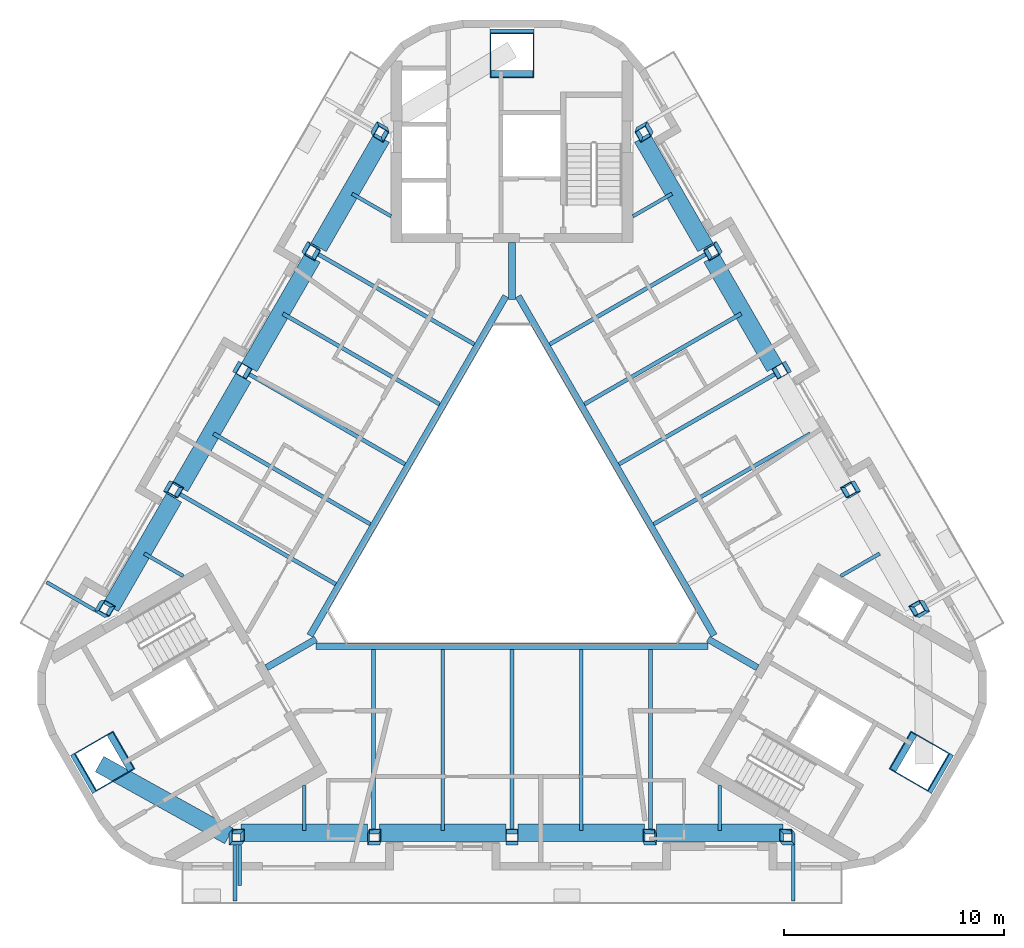
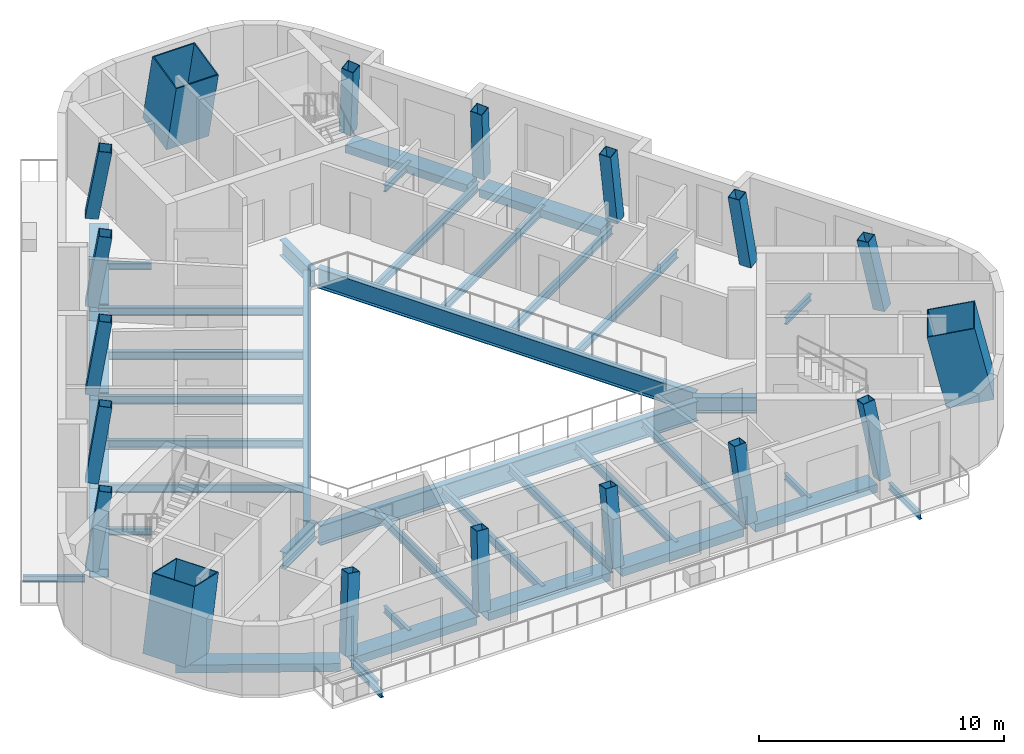
# One storey, part 1 of 11: 41 beams, 18 columns.
"""IFC4 building model written with IfcOpenShell, lengths in metres."""

from ifc_helpers import new_model, si_unit, direction, frame, origin, origin_2d, place, context, subcontext, project, spatial, rectangle, hollow_rectangle, i_section, extrude, boolean, halfspace, material, material_profile, profile_set, type_object, element, save


model = new_model("IFC4")

# Units and contexts
model_context = context("Model", 3, precision=1e-05, world=origin(), true_north=direction((0.0, 1.0)))
body_context = subcontext(model_context, "Body", "Model", "MODEL_VIEW")
ifc_project = project(units=[si_unit("LENGTHUNIT", "METRE"), si_unit("AREAUNIT", "SQUARE_METRE"), si_unit("VOLUMEUNIT", "CUBIC_METRE"), si_unit("PLANEANGLEUNIT", "RADIAN"), si_unit("MASSUNIT", "GRAM", prefix="KILO")], contexts=[model_context])

# Site, building, storey
site_placement = place(None, origin())
site = spatial("IfcSite", under=ifc_project, at=site_placement, CompositionType="ELEMENT")
building_placement = place(site_placement, origin())
building = spatial("IfcBuilding", under=site, at=building_placement, Name="Apuvela Tower Hotel", CompositionType="ELEMENT")
storey_placement = place(building_placement, frame((0.0, 0.0, 328.10009765625)))
storey = spatial("IfcBuildingStorey", under=building, at=storey_placement, Name="L82", CompositionType="ELEMENT", Elevation=328.10009765625)

# Columns
ifc_material_1 = material(Name="Steel S460", Category="steel")
ifc_material_profile_1 = material_profile(ifc_material_1, hollow_rectangle(XDim=2.0, YDim=2.0, WallThickness=0.050048828125, at=origin_2d()), Name="BOX 2000x2000x50")
ifc_material_2 = material(Name="Concrete C80/95", Category="concrete")
ifc_material_profile_2 = material_profile(ifc_material_2, rectangle(XDim=1.89990234375, YDim=1.89990234375, at=origin_2d()), Name="Concrete C80/95 infill")
ifc_profile_set_1 = profile_set([ifc_material_profile_1, ifc_material_profile_2], Name="Steel S460")
column_type_1 = type_object("IfcColumnType", Name="STR-MC mega column BOX 2000x2000x50", PredefinedType="COLUMN", material=ifc_profile_set_1)
for number, where, z_axis, x_axis, name in (
    (1, (0.0, 21.673828125, 0.0), (0.0, -0.21982618752, 0.975539054718), (1.0, 0.0, 0.0), "Mega column MC4 N"),
    (2, (-18.77001953125, -10.8369140625, 0.0), (0.190346159062, 0.109881938965, 0.975548204457), (-0.499994868029, 0.866028366632, 1.1507946e-05), "Mega column MC4 SW"),
    (3, (18.77001953125, -10.8369140625, 0.0), (-0.190346159062, 0.109881938965, 0.975548204457), (0.499994868029, 0.866028366632, 1.1507946e-05), "Mega column MC4 SE"),
):
    element("IfcColumn", number, at=place(storey_placement, frame(where, z_axis=z_axis, x_axis=x_axis)), inside=storey, type_object=column_type_1, Name=name, PredefinedType="COLUMN", context=body_context, shape_type="SweptSolid", body=[
        boolean("DIFFERENCE", boolean("DIFFERENCE", extrude(hollow_rectangle(XDim=2.0, YDim=2.0, WallThickness=0.050048828125, at=origin_2d()), origin(), (0.0, 0.0, 1.0), 3.792724609375), halfspace(frame((0.0, 0.0, 0.11328125), z_axis=(0.0, 0.0, 1.0), x_axis=(1.0, 0.0, 0.0)), True)), halfspace(frame((0.0, 0.0, 3.74365234375), z_axis=(0.0, 0.0, 1.0), x_axis=(1.0, 0.0, 0.0)), False)),
    ])
ifc_material_profile_3 = material_profile(ifc_material_1, hollow_rectangle(XDim=0.550048828125, YDim=0.550048828125, WallThickness=0.02490234375, at=origin_2d()), Name="BOX 550x550x25")
ifc_material_profile_4 = material_profile(ifc_material_2, rectangle(XDim=0.5, YDim=0.5, at=origin_2d()), Name="Concrete C80/95 infill")
ifc_profile_set_2 = profile_set([ifc_material_profile_3, ifc_material_profile_4], Name="Steel S460")
column_type_2 = type_object("IfcColumnType", Name="STR-PC perimeter column BOX 550x550x25", PredefinedType="COLUMN", material=ifc_profile_set_2)
column_1_placement = place(storey_placement, frame((-12.60498046875, -14.260498046875, 0.0), z_axis=(0.121069901949, 0.150398600122, 0.981184151892), x_axis=(-0.992601568988, 0.00920533993, 0.121067695767)))
element("IfcColumn", 4, at=column_1_placement, inside=storey, type_object=column_type_2, Name="Perimeter column C7 S1", PredefinedType="COLUMN", context=body_context, shape_type="SweptSolid", body=[
    boolean("DIFFERENCE", boolean("DIFFERENCE", extrude(hollow_rectangle(XDim=0.550048828125, YDim=0.550048828125, WallThickness=0.02490234375, at=origin_2d()), origin(), (0.0, 0.0, 1.0), 3.77099609375), halfspace(frame((0.0, 0.0, 0.039794921875), z_axis=(0.0, 0.0, 1.0), x_axis=(1.0, 0.0, 0.0)), True)), halfspace(frame((0.0, 0.0, 3.752685546875), z_axis=(0.0, 0.0, 1.0), x_axis=(1.0, 0.0, 0.0)), False)),
])
column_2_placement = place(storey_placement, frame((-6.302490234375, -14.260498046875, 0.0), z_axis=(0.060870463553, 0.151232178432, 0.986622326361), x_axis=(-0.99813528898, 0.004713590867, 0.06085825296)))
element("IfcColumn", 5, at=column_2_placement, inside=storey, type_object=column_type_2, Name="Perimeter column C7 S2", PredefinedType="COLUMN", context=body_context, shape_type="SweptSolid", body=[
    boolean("DIFFERENCE", boolean("DIFFERENCE", extrude(hollow_rectangle(XDim=0.550048828125, YDim=0.550048828125, WallThickness=0.02490234375, at=origin_2d()), origin(), (0.0, 0.0, 1.0), 3.75), halfspace(frame((0.0, 0.0, 0.033935546875), z_axis=(0.0, 0.0, 1.0), x_axis=(1.0, 0.0, 0.0)), True)), halfspace(frame((0.0, 0.0, 3.734619140625), z_axis=(0.0, 0.0, 1.0), x_axis=(1.0, 0.0, 0.0)), False)),
])
column_3_placement = place(storey_placement, frame((0.0, -14.260498046875, 0.0), z_axis=(0.0, 0.151513133163, 0.98845524455), x_axis=(-1.0, 0.0, 0.0)))
element("IfcColumn", 6, at=column_3_placement, inside=storey, type_object=column_type_2, Name="Perimeter column C7 S3", PredefinedType="COLUMN", context=body_context, shape_type="SweptSolid", body=[
    boolean("DIFFERENCE", boolean("DIFFERENCE", extrude(hollow_rectangle(XDim=0.550048828125, YDim=0.550048828125, WallThickness=0.02490234375, at=origin_2d()), origin(), (0.0, 0.0, 1.0), 3.7431640625), halfspace(frame((0.0, 0.0, 0.031494140625), z_axis=(0.0, 0.0, 1.0), x_axis=(1.0, 0.0, 0.0)), True)), halfspace(frame((0.0, 0.0, 3.728515625), z_axis=(0.0, 0.0, 1.0), x_axis=(1.0, 0.0, 0.0)), False)),
])
column_4_placement = place(storey_placement, frame((6.302490234375, -14.260498046875, 0.0), z_axis=(-0.060870463553, 0.151232178432, 0.986622326361), x_axis=(0.99813528898, 0.004713590867, 0.06085825296)))
element("IfcColumn", 7, at=column_4_placement, inside=storey, type_object=column_type_2, Name="Perimeter column C7 S4", PredefinedType="COLUMN", context=body_context, shape_type="SweptSolid", body=[
    boolean("DIFFERENCE", boolean("DIFFERENCE", extrude(hollow_rectangle(XDim=0.550048828125, YDim=0.550048828125, WallThickness=0.02490234375, at=origin_2d()), origin(), (0.0, 0.0, 1.0), 3.75), halfspace(frame((0.0, 0.0, 0.033935546875), z_axis=(0.0, 0.0, 1.0), x_axis=(1.0, 0.0, 0.0)), True)), halfspace(frame((0.0, 0.0, 3.734619140625), z_axis=(0.0, 0.0, 1.0), x_axis=(1.0, 0.0, 0.0)), False)),
])
column_5_placement = place(storey_placement, frame((12.60498046875, -14.260498046875, 0.0), z_axis=(-0.121069901949, 0.150398600122, 0.981184151892), x_axis=(0.992601568988, 0.00920533993, 0.121067695767)))
element("IfcColumn", 8, at=column_5_placement, inside=storey, type_object=column_type_2, Name="Perimeter column C7 S5", PredefinedType="COLUMN", context=body_context, shape_type="SweptSolid", body=[
    boolean("DIFFERENCE", boolean("DIFFERENCE", extrude(hollow_rectangle(XDim=0.550048828125, YDim=0.550048828125, WallThickness=0.02490234375, at=origin_2d()), origin(), (0.0, 0.0, 1.0), 3.77099609375), halfspace(frame((0.0, 0.0, 0.039794921875), z_axis=(0.0, 0.0, 1.0), x_axis=(1.0, 0.0, 0.0)), True)), halfspace(frame((0.0, 0.0, 3.752685546875), z_axis=(0.0, 0.0, 1.0), x_axis=(1.0, 0.0, 0.0)), False)),
])
column_6_placement = place(storey_placement, frame((18.65234375, -3.785888671875, 0.0), z_axis=(-0.190735837279, 0.02958801006, 0.981195388309), x_axis=(0.488607938484, -0.864067297741, 0.121037132421)))
element("IfcColumn", 9, at=column_6_placement, inside=storey, type_object=column_type_2, Name="Perimeter column C7 NE1", PredefinedType="COLUMN", context=body_context, shape_type="SweptSolid", body=[
    boolean("DIFFERENCE", boolean("DIFFERENCE", extrude(hollow_rectangle(XDim=0.550048828125, YDim=0.550048828125, WallThickness=0.02490234375, at=origin_2d()), origin(), (0.0, 0.0, 1.0), 3.770751953125), halfspace(frame((0.0, 0.0, 0.039794921875), z_axis=(0.0, 0.0, 1.0), x_axis=(1.0, 0.0, 0.0)), True)), halfspace(frame((0.0, 0.0, 3.752685546875), z_axis=(0.0, 0.0, 1.0), x_axis=(1.0, 0.0, 0.0)), False)),
])
column_7_placement = place(storey_placement, frame((15.501220703125, 1.672119140625, 0.0), z_axis=(-0.161451925123, -0.022915757114, 0.986614485982), x_axis=(0.495072298274, -0.866715969634, 0.060883885081)))
element("IfcColumn", 10, at=column_7_placement, inside=storey, type_object=column_type_2, Name="Perimeter column C7 NE2", PredefinedType="COLUMN", context=body_context, shape_type="SweptSolid", body=[
    boolean("DIFFERENCE", boolean("DIFFERENCE", extrude(hollow_rectangle(XDim=0.550048828125, YDim=0.550048828125, WallThickness=0.02490234375, at=origin_2d()), origin(), (0.0, 0.0, 1.0), 3.750244140625), halfspace(frame((0.0, 0.0, 0.033935546875), z_axis=(0.0, 0.0, 1.0), x_axis=(1.0, 0.0, 0.0)), True)), halfspace(frame((0.0, 0.0, 3.734619140625), z_axis=(0.0, 0.0, 1.0), x_axis=(1.0, 0.0, 0.0)), False)),
])
column_8_placement = place(storey_placement, frame((12.349853515625, 7.130126953125, 0.0), z_axis=(-0.131228839908, -0.075723997581, 0.988455799602), x_axis=(-0.499707328911, 0.866194311446, 1.5866039e-05)))
element("IfcColumn", 11, at=column_8_placement, inside=storey, type_object=column_type_2, Name="Perimeter column C7 NE3", PredefinedType="COLUMN", context=body_context, shape_type="SweptSolid", body=[
    boolean("DIFFERENCE", boolean("DIFFERENCE", extrude(hollow_rectangle(XDim=0.550048828125, YDim=0.550048828125, WallThickness=0.02490234375, at=origin_2d()), origin(), (0.0, 0.0, 1.0), 3.7431640625), halfspace(frame((0.0, 0.0, 0.031494140625), z_axis=(0.0, 0.0, 1.0), x_axis=(1.0, 0.0, 0.0)), True)), halfspace(frame((0.0, 0.0, 3.728515625), z_axis=(0.0, 0.0, 1.0), x_axis=(1.0, 0.0, 0.0)), False)),
])
column_9_placement = place(storey_placement, frame((9.198486328125, 12.58837890625, 0.0), z_axis=(-0.100518021011, -0.128316722417, 0.98662604172), x_axis=(-0.503129383785, 0.862065632243, 0.060857775822)))
element("IfcColumn", 12, at=column_9_placement, inside=storey, type_object=column_type_2, Name="Perimeter column C7 NE4", PredefinedType="COLUMN", context=body_context, shape_type="SweptSolid", body=[
    boolean("DIFFERENCE", boolean("DIFFERENCE", extrude(hollow_rectangle(XDim=0.550048828125, YDim=0.550048828125, WallThickness=0.02490234375, at=origin_2d()), origin(), (0.0, 0.0, 1.0), 3.75), halfspace(frame((0.0, 0.0, 0.033935546875), z_axis=(0.0, 0.0, 1.0), x_axis=(1.0, 0.0, 0.0)), True)), halfspace(frame((0.0, 0.0, 3.734619140625), z_axis=(0.0, 0.0, 1.0), x_axis=(1.0, 0.0, 0.0)), False)),
])
for number, where, z_axis, x_axis, name in (
    (13, (6.04736328125, 18.04638671875, 0.0), (-0.069728397733, -0.180050765176, 0.981182792608), (-0.504276986778, 0.855013934028, 0.12106152661), "Perimeter column C7 NE5"),
    (14, (-6.04736328125, 18.04638671875, 0.0), (0.069728397733, -0.180050765176, 0.981182792608), (0.504276986778, 0.855013934028, 0.12106152661), "Perimeter column C7 NW1"),
):
    element("IfcColumn", number, at=place(storey_placement, frame(where, z_axis=z_axis, x_axis=x_axis)), inside=storey, type_object=column_type_2, Name=name, PredefinedType="COLUMN", context=body_context, shape_type="SweptSolid", body=[
        boolean("DIFFERENCE", boolean("DIFFERENCE", extrude(hollow_rectangle(XDim=0.550048828125, YDim=0.550048828125, WallThickness=0.02490234375, at=origin_2d()), origin(), (0.0, 0.0, 1.0), 3.77099609375), halfspace(frame((0.0, 0.0, 0.039794921875), z_axis=(0.0, 0.0, 1.0), x_axis=(1.0, 0.0, 0.0)), True)), halfspace(frame((0.0, 0.0, 3.7529296875), z_axis=(0.0, 0.0, 1.0), x_axis=(1.0, 0.0, 0.0)), False)),
    ])
column_10_placement = place(storey_placement, frame((-9.198486328125, 12.58837890625, 0.0), z_axis=(0.100518021011, -0.128316722417, 0.98662604172), x_axis=(0.503129383785, 0.862065632243, 0.060857775822)))
element("IfcColumn", 15, at=column_10_placement, inside=storey, type_object=column_type_2, Name="Perimeter column C7 NW2", PredefinedType="COLUMN", context=body_context, shape_type="SweptSolid", body=[
    boolean("DIFFERENCE", boolean("DIFFERENCE", extrude(hollow_rectangle(XDim=0.550048828125, YDim=0.550048828125, WallThickness=0.02490234375, at=origin_2d()), origin(), (0.0, 0.0, 1.0), 3.75), halfspace(frame((0.0, 0.0, 0.033935546875), z_axis=(0.0, 0.0, 1.0), x_axis=(1.0, 0.0, 0.0)), True)), halfspace(frame((0.0, 0.0, 3.734619140625), z_axis=(0.0, 0.0, 1.0), x_axis=(1.0, 0.0, 0.0)), False)),
])
column_11_placement = place(storey_placement, frame((-12.349853515625, 7.130126953125, 0.0), z_axis=(0.131228839908, -0.075723997581, 0.988455799602), x_axis=(0.499707328911, 0.866194311446, 1.5866039e-05)))
element("IfcColumn", 16, at=column_11_placement, inside=storey, type_object=column_type_2, Name="Perimeter column C7 NW3", PredefinedType="COLUMN", context=body_context, shape_type="SweptSolid", body=[
    boolean("DIFFERENCE", boolean("DIFFERENCE", extrude(hollow_rectangle(XDim=0.550048828125, YDim=0.550048828125, WallThickness=0.02490234375, at=origin_2d()), origin(), (0.0, 0.0, 1.0), 3.7431640625), halfspace(frame((0.0, 0.0, 0.031494140625), z_axis=(0.0, 0.0, 1.0), x_axis=(1.0, 0.0, 0.0)), True)), halfspace(frame((0.0, 0.0, 3.728515625), z_axis=(0.0, 0.0, 1.0), x_axis=(1.0, 0.0, 0.0)), False)),
])
column_12_placement = place(storey_placement, frame((-15.501220703125, 1.672119140625, 0.0), z_axis=(0.161451925123, -0.022915757114, 0.986614485982), x_axis=(-0.495072298274, -0.866715969634, 0.060883885081)))
element("IfcColumn", 17, at=column_12_placement, inside=storey, type_object=column_type_2, Name="Perimeter column C7 NW4", PredefinedType="COLUMN", context=body_context, shape_type="SweptSolid", body=[
    boolean("DIFFERENCE", boolean("DIFFERENCE", extrude(hollow_rectangle(XDim=0.550048828125, YDim=0.550048828125, WallThickness=0.02490234375, at=origin_2d()), origin(), (0.0, 0.0, 1.0), 3.750244140625), halfspace(frame((0.0, 0.0, 0.033935546875), z_axis=(0.0, 0.0, 1.0), x_axis=(1.0, 0.0, 0.0)), True)), halfspace(frame((0.0, 0.0, 3.734619140625), z_axis=(0.0, 0.0, 1.0), x_axis=(1.0, 0.0, 0.0)), False)),
])
column_13_placement = place(storey_placement, frame((-18.65234375, -3.785888671875, 0.0), z_axis=(0.190735837279, 0.02958801006, 0.981195388309), x_axis=(-0.488607938484, -0.864067297741, 0.121037132421)))
element("IfcColumn", 18, at=column_13_placement, inside=storey, type_object=column_type_2, Name="Perimeter column C7 NW5", PredefinedType="COLUMN", context=body_context, shape_type="SweptSolid", body=[
    boolean("DIFFERENCE", boolean("DIFFERENCE", extrude(hollow_rectangle(XDim=0.550048828125, YDim=0.550048828125, WallThickness=0.02490234375, at=origin_2d()), origin(), (0.0, 0.0, 1.0), 3.770751953125), halfspace(frame((0.0, 0.0, 0.039794921875), z_axis=(0.0, 0.0, 1.0), x_axis=(1.0, 0.0, 0.0)), True)), halfspace(frame((0.0, 0.0, 3.752685546875), z_axis=(0.0, 0.0, 1.0), x_axis=(1.0, 0.0, 0.0)), False)),
])

# Beams
ifc_material_3 = material(Name="Steel S355", Category="steel")
ifc_material_profile_5 = material_profile(ifc_material_3, i_section(OverallWidth=0.159912109375, OverallDepth=0.330078125, WebThickness=0.007568359375, FlangeThickness=0.011474609375, at=origin_2d()), Name="IPE 330")
ifc_profile_set_3 = profile_set([ifc_material_profile_5], Name="Steel S355")
beam_type_1 = type_object("IfcBeamType", Name="ENV-BALCONY-BEAM-IPE330", PredefinedType="BEAM", material=ifc_profile_set_3)
beam_1_placement = place(storey_placement, frame((-12.60498046875, -14.535400390625, -0.315185546875), z_axis=(0.0, -1.0, 0.0), x_axis=(1.0, 0.0, 0.0)))
element("IfcBeam", 19, at=beam_1_placement, inside=storey, type_object=beam_type_1, Name="Balcony cantilever beam S1 L82", PredefinedType="BEAM", context=body_context, shape_type="SweptSolid", body=[
    extrude(i_section(OverallWidth=0.159912109375, OverallDepth=0.330078125, WebThickness=0.007568359375, FlangeThickness=0.011474609375, at=origin_2d()), origin(), (0.0, 0.0, 1.0), 2.52490234375),
])
beam_2_placement = place(storey_placement, frame((-12.385009765625, -14.535400390625, -0.315185546875), z_axis=(0.0, -1.0, 0.0), x_axis=(1.0, 0.0, 0.0)))
element("IfcBeam", 20, at=beam_2_placement, inside=storey, type_object=beam_type_1, Name="Balcony cantilever beam S2 L82", PredefinedType="BEAM", context=body_context, shape_type="SweptSolid", body=[
    extrude(i_section(OverallWidth=0.159912109375, OverallDepth=0.330078125, WebThickness=0.007568359375, FlangeThickness=0.011474609375, at=origin_2d()), origin(), (0.0, 0.0, 1.0), 1.824951171875),
])
beam_3_placement = place(storey_placement, frame((12.804931640625, -14.535400390625, -0.315185546875), z_axis=(0.0, -1.0, 0.0), x_axis=(1.0, 0.0, 0.0)))
element("IfcBeam", 21, at=beam_3_placement, inside=storey, type_object=beam_type_1, Name="Balcony cantilever beam S3 L82", PredefinedType="BEAM", context=body_context, shape_type="SweptSolid", body=[
    extrude(i_section(OverallWidth=0.159912109375, OverallDepth=0.330078125, WebThickness=0.007568359375, FlangeThickness=0.011474609375, at=origin_2d()), origin(), (0.0, 0.0, 1.0), 2.52490234375),
])
beam_4_placement = place(storey_placement, frame((-18.990478515625, -3.82177734375, -0.315185546875), z_axis=(-0.865997200291, 0.500048846702, 0.0), x_axis=(-0.500048846702, -0.865997200291, 0.0)))
element("IfcBeam", 22, at=beam_4_placement, inside=storey, type_object=beam_type_1, Name="Balcony cantilever beam NW3 L82", PredefinedType="BEAM", context=body_context, shape_type="SweptSolid", body=[
    extrude(i_section(OverallWidth=0.159912109375, OverallDepth=0.330078125, WebThickness=0.007568359375, FlangeThickness=0.011474609375, at=origin_2d()), origin(), (0.0, 0.0, 1.0), 2.525146484375),
])
ifc_material_profile_6 = material_profile(ifc_material_3, i_section(OverallWidth=0.159912109375, OverallDepth=0.330078125, WebThickness=0.007568359375, FlangeThickness=0.011474609375, at=origin_2d()), Name="IPE 330")
ifc_profile_set_4 = profile_set([ifc_material_profile_6], Name="Steel S355")
beam_type_2 = type_object("IfcBeamType", Name="STR-B floor beam IPE 330", PredefinedType="BEAM", material=ifc_profile_set_4)
for number, where, z_axis, x_axis, name in (
    (23, (16.730224609375, -1.2568359375, -0.315185546875), (-0.865993345452, -0.500055522549, 0.0), (0.500055522549, -0.865993345452, 0.0), "Floor beam B1 NE2"),
    (24, (7.276611328125, 15.1171875, -0.315185546875), (-0.866044878051, -0.499966268063, 0.0), (0.499966268063, -0.866044878051, 0.0), "Floor beam B1 NE8"),
    (25, (-7.276611328125, 15.1171875, -0.315185546875), (0.866044878051, -0.499966268063, 0.0), (0.499966268063, 0.866044878051, 0.0), "Floor beam B1 NW2"),
    (26, (-16.730224609375, -1.2568359375, -0.315185546875), (0.865993345452, -0.500055522549, 0.0), (0.500055522549, 0.865993345452, 0.0), "Floor beam B1 NW8"),
    (27, (-9.45361328125, -13.8603515625, -0.315185546875), (0.0, 1.0, 0.0), (-1.0, 0.0, 0.0), "Floor beam B1 S2"),
    (28, (9.45361328125, -13.8603515625, -0.315185546875), (0.0, 1.0, 0.0), (-1.0, 0.0, 0.0), "Floor beam B1 S8"),
):
    element("IfcBeam", number, at=place(storey_placement, frame(where, z_axis=z_axis, x_axis=x_axis)), inside=storey, type_object=beam_type_2, Name=name, PredefinedType="BEAM", context=body_context, shape_type="SweptSolid", body=[
        extrude(i_section(OverallWidth=0.159912109375, OverallDepth=0.330078125, WebThickness=0.007568359375, FlangeThickness=0.011474609375, at=origin_2d()), origin(), (0.0, 0.0, 1.0), 2.051513671875),
    ])
ifc_material_profile_7 = material_profile(ifc_material_3, i_section(OverallWidth=0.179931640625, OverallDepth=0.39990234375, WebThickness=0.008544921875, FlangeThickness=0.013427734375, at=origin_2d()), Name="IPE 400")
ifc_profile_set_5 = profile_set([ifc_material_profile_7], Name="Steel S355")
beam_type_3 = type_object("IfcBeamType", Name="STR-B floor beam IPE 400", PredefinedType="BEAM", material=ifc_profile_set_5)
beam_5_placement = place(storey_placement, frame((13.5791015625, 4.201171875, -0.35009765625), z_axis=(-0.866032148122, -0.499988318282, 0.0), x_axis=(0.499988318282, -0.866032148122, 0.0)))
element("IfcBeam", 29, at=beam_5_placement, inside=storey, type_object=beam_type_3, Name="Floor beam B2 NE4", PredefinedType="BEAM", context=body_context, shape_type="SweptSolid", body=[
    extrude(i_section(OverallWidth=0.179931640625, OverallDepth=0.39990234375, WebThickness=0.008544921875, FlangeThickness=0.013427734375, at=origin_2d()), origin(), (0.0, 0.0, 1.0), 8.240478515625),
])
beam_6_placement = place(storey_placement, frame((12.11181640625, 6.99267578125, -0.35009765625), z_axis=(-0.866029092459, -0.499993610973, 0.0), x_axis=(0.499993610973, -0.866029092459, 0.0)))
element("IfcBeam", 30, at=beam_6_placement, inside=storey, type_object=beam_type_3, Name="Floor beam B2 NE5", PredefinedType="BEAM", context=body_context, shape_type="SweptSolid", body=[
    extrude(i_section(OverallWidth=0.179931640625, OverallDepth=0.39990234375, WebThickness=0.008544921875, FlangeThickness=0.013427734375, at=origin_2d()), origin(), (0.0, 0.0, 1.0), 8.365234375),
])
beam_7_placement = place(storey_placement, frame((10.427734375, 9.6591796875, -0.35009765625), z_axis=(-0.866024741388, -0.500001147303, 0.0), x_axis=(0.500001147303, -0.866024741388, 0.0)))
element("IfcBeam", 31, at=beam_7_placement, inside=storey, type_object=beam_type_3, Name="Floor beam B2 NE6", PredefinedType="BEAM", context=body_context, shape_type="SweptSolid", body=[
    extrude(i_section(OverallWidth=0.179931640625, OverallDepth=0.39990234375, WebThickness=0.008544921875, FlangeThickness=0.013427734375, at=origin_2d()), origin(), (0.0, 0.0, 1.0), 8.240234375),
])
for number, where, z_axis, x_axis, name in (
    (32, (8.96044921875, 12.45068359375, -0.35009765625), (-0.866029092459, -0.499993610973, 0.0), (0.499993610973, -0.866029092459, 0.0), "Floor beam B2 NE7"),
    (33, (-8.96044921875, 12.45068359375, -0.35009765625), (0.866029092459, -0.499993610973, 0.0), (0.499993610973, 0.866029092459, 0.0), "Floor beam B2 NW3"),
):
    element("IfcBeam", number, at=place(storey_placement, frame(where, z_axis=z_axis, x_axis=x_axis)), inside=storey, type_object=beam_type_3, Name=name, PredefinedType="BEAM", context=body_context, shape_type="SweptSolid", body=[
        extrude(i_section(OverallWidth=0.179931640625, OverallDepth=0.39990234375, WebThickness=0.008544921875, FlangeThickness=0.013427734375, at=origin_2d()), origin(), (0.0, 0.0, 1.0), 8.365234375),
    ])
beam_8_placement = place(storey_placement, frame((-10.427734375, 9.6591796875, -0.35009765625), z_axis=(0.866024741388, -0.500001147303, 0.0), x_axis=(0.500001147303, 0.866024741388, 0.0)))
element("IfcBeam", 34, at=beam_8_placement, inside=storey, type_object=beam_type_3, Name="Floor beam B2 NW4", PredefinedType="BEAM", context=body_context, shape_type="SweptSolid", body=[
    extrude(i_section(OverallWidth=0.179931640625, OverallDepth=0.39990234375, WebThickness=0.008544921875, FlangeThickness=0.013427734375, at=origin_2d()), origin(), (0.0, 0.0, 1.0), 8.240234375),
])
beam_9_placement = place(storey_placement, frame((-12.11181640625, 6.99267578125, -0.35009765625), z_axis=(0.866029092459, -0.499993610973, 0.0), x_axis=(0.499993610973, 0.866029092459, 0.0)))
element("IfcBeam", 35, at=beam_9_placement, inside=storey, type_object=beam_type_3, Name="Floor beam B2 NW5", PredefinedType="BEAM", context=body_context, shape_type="SweptSolid", body=[
    extrude(i_section(OverallWidth=0.179931640625, OverallDepth=0.39990234375, WebThickness=0.008544921875, FlangeThickness=0.013427734375, at=origin_2d()), origin(), (0.0, 0.0, 1.0), 8.365234375),
])
beam_10_placement = place(storey_placement, frame((-13.5791015625, 4.201171875, -0.35009765625), z_axis=(0.866032148122, -0.499988318282, 0.0), x_axis=(0.499988318282, 0.866032148122, 0.0)))
element("IfcBeam", 36, at=beam_10_placement, inside=storey, type_object=beam_type_3, Name="Floor beam B2 NW6", PredefinedType="BEAM", context=body_context, shape_type="SweptSolid", body=[
    extrude(i_section(OverallWidth=0.179931640625, OverallDepth=0.39990234375, WebThickness=0.008544921875, FlangeThickness=0.013427734375, at=origin_2d()), origin(), (0.0, 0.0, 1.0), 8.240478515625),
])
beam_11_placement = place(storey_placement, frame((-15.262939453125, 1.53466796875, -0.35009765625), z_axis=(0.866016455095, -0.500015499264, 0.0), x_axis=(0.500015499264, 0.866016455095, 0.0)))
element("IfcBeam", 37, at=beam_11_placement, inside=storey, type_object=beam_type_3, Name="Floor beam B2 NW7", PredefinedType="BEAM", context=body_context, shape_type="SweptSolid", body=[
    extrude(i_section(OverallWidth=0.179931640625, OverallDepth=0.39990234375, WebThickness=0.008544921875, FlangeThickness=0.013427734375, at=origin_2d()), origin(), (0.0, 0.0, 1.0), 8.365478515625),
])
beam_12_placement = place(storey_placement, frame((-6.302490234375, -13.9853515625, -0.35009765625), z_axis=(0.0, 1.0, 0.0), x_axis=(-1.0, 0.0, 0.0)))
element("IfcBeam", 38, at=beam_12_placement, inside=storey, type_object=beam_type_3, Name="Floor beam B2 S3", PredefinedType="BEAM", context=body_context, shape_type="SweptSolid", body=[
    extrude(i_section(OverallWidth=0.179931640625, OverallDepth=0.39990234375, WebThickness=0.008544921875, FlangeThickness=0.013427734375, at=origin_2d()), origin(), (0.0, 0.0, 1.0), 8.365234375),
])
beam_13_placement = place(storey_placement, frame((-3.151123046875, -13.8603515625, -0.35009765625), z_axis=(0.0, 1.0, 0.0), x_axis=(-1.0, 0.0, 0.0)))
element("IfcBeam", 39, at=beam_13_placement, inside=storey, type_object=beam_type_3, Name="Floor beam B2 S4", PredefinedType="BEAM", context=body_context, shape_type="SweptSolid", body=[
    extrude(i_section(OverallWidth=0.179931640625, OverallDepth=0.39990234375, WebThickness=0.008544921875, FlangeThickness=0.013427734375, at=origin_2d()), origin(), (0.0, 0.0, 1.0), 8.240234375),
])
beam_14_placement = place(storey_placement, frame((0.0, -13.9853515625, -0.35009765625), z_axis=(0.0, 1.0, 0.0), x_axis=(-1.0, 0.0, 0.0)))
element("IfcBeam", 40, at=beam_14_placement, inside=storey, type_object=beam_type_3, Name="Floor beam B2 S5", PredefinedType="BEAM", context=body_context, shape_type="SweptSolid", body=[
    extrude(i_section(OverallWidth=0.179931640625, OverallDepth=0.39990234375, WebThickness=0.008544921875, FlangeThickness=0.013427734375, at=origin_2d()), origin(), (0.0, 0.0, 1.0), 8.365234375),
])
beam_15_placement = place(storey_placement, frame((3.151123046875, -13.8603515625, -0.35009765625), z_axis=(0.0, 1.0, 0.0), x_axis=(-1.0, 0.0, 0.0)))
element("IfcBeam", 41, at=beam_15_placement, inside=storey, type_object=beam_type_3, Name="Floor beam B2 S6", PredefinedType="BEAM", context=body_context, shape_type="SweptSolid", body=[
    extrude(i_section(OverallWidth=0.179931640625, OverallDepth=0.39990234375, WebThickness=0.008544921875, FlangeThickness=0.013427734375, at=origin_2d()), origin(), (0.0, 0.0, 1.0), 8.240234375),
])
beam_16_placement = place(storey_placement, frame((6.302490234375, -13.9853515625, -0.35009765625), z_axis=(0.0, 1.0, 0.0), x_axis=(-1.0, 0.0, 0.0)))
element("IfcBeam", 42, at=beam_16_placement, inside=storey, type_object=beam_type_3, Name="Floor beam B2 S7", PredefinedType="BEAM", context=body_context, shape_type="SweptSolid", body=[
    extrude(i_section(OverallWidth=0.179931640625, OverallDepth=0.39990234375, WebThickness=0.008544921875, FlangeThickness=0.013427734375, at=origin_2d()), origin(), (0.0, 0.0, 1.0), 8.365234375),
])
ifc_material_profile_8 = material_profile(ifc_material_3, i_section(OverallWidth=0.300048828125, OverallDepth=0.989990234375, WebThickness=0.0166015625, FlangeThickness=0.031005859375, at=origin_2d()), Name="HE 1000 A")
ifc_profile_set_6 = profile_set([ifc_material_profile_8], Name="Steel S355")
beam_type_4 = type_object("IfcBeamType", Name="STR-G atrium ring girder HE 1000 A", PredefinedType="BEAM", material=ifc_profile_set_6)
beam_17_placement = place(storey_placement, frame((-0.27978515625, 10.455078125, -0.64501953125), z_axis=(-0.500006541319, -0.866021627119, 0.0), x_axis=(0.866021627119, -0.500006541319, 0.0)))
element("IfcBeam", 43, at=beam_17_placement, inside=storey, type_object=beam_type_4, Name="Atrium ring girder G3 N-SW", PredefinedType="BEAM", context=body_context, shape_type="SweptSolid", body=[
    extrude(i_section(OverallWidth=0.300048828125, OverallDepth=0.989990234375, WebThickness=0.0166015625, FlangeThickness=0.031005859375, at=origin_2d()), origin(), (0.0, 0.0, 1.0), 17.828857421875),
])
beam_18_placement = place(storey_placement, frame((-8.91455078125, -5.469970703125, -0.64501953125), z_axis=(1.0, 0.0, 0.0), x_axis=(0.0, 1.0, 0.0)))
element("IfcBeam", 44, at=beam_18_placement, inside=storey, type_object=beam_type_4, Name="Atrium ring girder G3 SW-SE", PredefinedType="BEAM", context=body_context, shape_type="SweptSolid", body=[
    extrude(i_section(OverallWidth=0.300048828125, OverallDepth=0.989990234375, WebThickness=0.0166015625, FlangeThickness=0.031005859375, at=origin_2d()), origin(), (0.0, 0.0, 1.0), 17.8291015625),
])
beam_19_placement = place(storey_placement, frame((9.1943359375, -4.985107421875, -0.64501953125), z_axis=(-0.500006541319, 0.866021627119, 0.0), x_axis=(-0.866021627119, -0.500006541319, 0.0)))
element("IfcBeam", 45, at=beam_19_placement, inside=storey, type_object=beam_type_4, Name="Atrium ring girder G3 SE-N", PredefinedType="BEAM", context=body_context, shape_type="SweptSolid", body=[
    extrude(i_section(OverallWidth=0.300048828125, OverallDepth=0.989990234375, WebThickness=0.0166015625, FlangeThickness=0.031005859375, at=origin_2d()), origin(), (0.0, 0.0, 1.0), 17.828857421875),
])
ifc_material_profile_9 = material_profile(ifc_material_3, i_section(OverallWidth=0.300048828125, OverallDepth=0.800048828125, WebThickness=0.017578125, FlangeThickness=0.032958984375, at=origin_2d()), Name="HE 800 B")
ifc_profile_set_7 = profile_set([ifc_material_profile_9], Name="Steel S355")
beam_type_5 = type_object("IfcBeamType", Name="STR-GT core tie beam HE 800 B", PredefinedType="BEAM", material=ifc_profile_set_7)
for number, where, z_axis, x_axis, name in (
    (46, (0.0, 12.89990234375, -0.550048828125), (0.0, -1.0, 0.0), (1.0, 0.0, 0.0), "Core tie beam GT1 N"),
    (47, (-11.171630859375, -6.449951171875, -0.550048828125), (0.865997922154, 0.500047596559, 0.0), (-0.500047596559, 0.865997922154, 0.0), "Core tie beam GT1 SW"),
    (48, (11.171630859375, -6.449951171875, -0.550048828125), (-0.865997922154, 0.500047596559, 0.0), (-0.500047596559, -0.865997922154, 0.0), "Core tie beam GT1 SE"),
):
    element("IfcBeam", number, at=place(storey_placement, frame(where, z_axis=z_axis, x_axis=x_axis)), inside=storey, type_object=beam_type_5, Name=name, PredefinedType="BEAM", context=body_context, shape_type="SweptSolid", body=[
        extrude(i_section(OverallWidth=0.300048828125, OverallDepth=0.800048828125, WebThickness=0.017578125, FlangeThickness=0.032958984375, at=origin_2d()), origin(), (0.0, 0.0, 1.0), 2.599853515625),
    ])
ifc_material_profile_10 = material_profile(ifc_material_1, hollow_rectangle(XDim=0.800048828125, YDim=0.39990234375, WallThickness=0.02490234375, at=origin_2d()), Name="BOX 800x400x25")
ifc_profile_set_8 = profile_set([ifc_material_profile_10], Name="Steel S460")
beam_type_6 = type_object("IfcBeamType", Name="STR-RB perimeter ring beam BOX 800x400x25", PredefinedType="SPANDREL", material=ifc_profile_set_8)
for number, where, z_axis, x_axis, name in (
    (49, (-12.329833984375, -13.96044921875, -0.400146484375), (1.0, 0.0, 0.0), (0.0, 1.0, 0.0), "Ring beam RB1 S1"),
    (50, (-6.02734375, -13.96044921875, -0.400146484375), (1.0, 0.0, 0.0), (0.0, 1.0, 0.0), "Ring beam RB1 S2"),
    (51, (0.27490234375, -13.96044921875, -0.400146484375), (1.0, 0.0, 0.0), (0.0, 1.0, 0.0), "Ring beam RB1 S3"),
    (52, (6.577392578125, -13.96044921875, -0.400146484375), (1.0, 0.0, 0.0), (0.0, 1.0, 0.0), "Ring beam RB1 S4"),
    (53, (11.952392578125, 7.21826171875, -0.400146484375), (-0.49995513091, 0.866051307416, 0.0), (-0.866051307416, -0.49995513091, 0.0), "Ring beam RB1 NE3"),
    (54, (8.80126953125, 12.676513671875, -0.400146484375), (-0.500005339912, 0.866022320763, 0.0), (-0.866022320763, -0.500005339912, 0.0), "Ring beam RB1 NE4"),
    (55, (-5.925048828125, 17.658203125, -0.400146484375), (-0.500005339912, -0.866022320763, 0.0), (0.866022320763, -0.500005339912, 0.0), "Ring beam RB1 NW1"),
    (56, (-9.076416015625, 12.2001953125, -0.400146484375), (-0.49995513091, -0.866051307416, 0.0), (0.866051307416, -0.49995513091, 0.0), "Ring beam RB1 NW2"),
    (57, (-12.2275390625, 6.741943359375, -0.400146484375), (-0.500005339912, -0.866022320763, 0.0), (0.866022320763, -0.500005339912, 0.0), "Ring beam RB1 NW3"),
):
    element("IfcBeam", number, at=place(storey_placement, frame(where, z_axis=z_axis, x_axis=x_axis)), inside=storey, type_object=beam_type_6, Name=name, PredefinedType="SPANDREL", context=body_context, shape_type="SweptSolid", body=[
        extrude(hollow_rectangle(XDim=0.800048828125, YDim=0.39990234375, WallThickness=0.02490234375, at=origin_2d()), origin(), (0.0, 0.0, 1.0), 5.75244140625),
    ])
beam_20_placement = place(storey_placement, frame((-15.37890625, 1.283935546875, -0.400146484375), z_axis=(-0.499973507871, -0.866040698482, 0.0), x_axis=(0.866040698482, -0.499973507871, 0.0)))
element("IfcBeam", 58, at=beam_20_placement, inside=storey, type_object=beam_type_6, Name="Ring beam RB1 NW4", PredefinedType="SPANDREL", context=body_context, shape_type="SweptSolid", body=[
    extrude(hollow_rectangle(XDim=0.800048828125, YDim=0.39990234375, WallThickness=0.02490234375, at=origin_2d()), origin(), (0.0, 0.0, 1.0), 5.752197265625),
])
beam_21_placement = place(storey_placement, frame((-12.8798828125, -14.107666015625, -0.400146484375), z_axis=(-0.874254688292, 0.485467547834, 0.0), x_axis=(-0.485467547834, -0.874254688292, 0.0)))
element("IfcBeam", 59, at=beam_21_placement, inside=storey, type_object=beam_type_6, Name="Ring beam RB1 S1-SW", PredefinedType="SPANDREL", context=body_context, shape_type="SweptSolid", body=[
    extrude(hollow_rectangle(XDim=0.800048828125, YDim=0.39990234375, WallThickness=0.02490234375, at=origin_2d()), origin(), (0.0, 0.0, 1.0), 6.7373046875),
])

save(model, "model.ifc")
